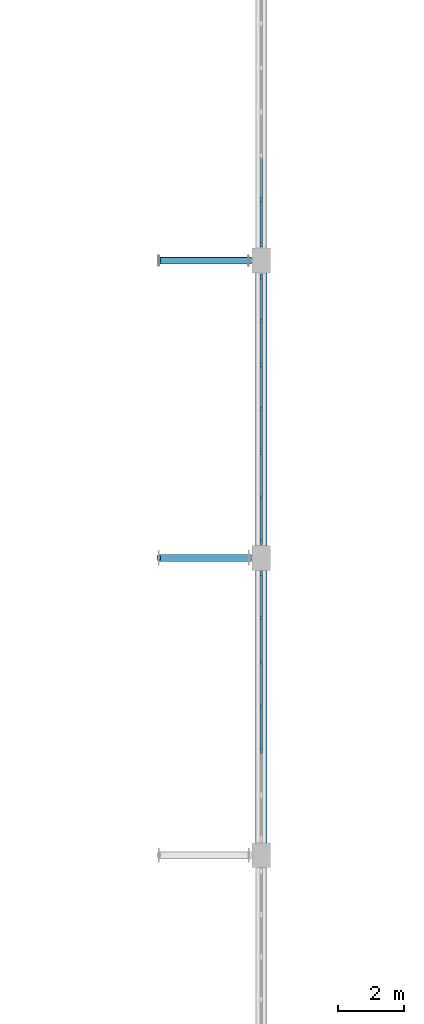
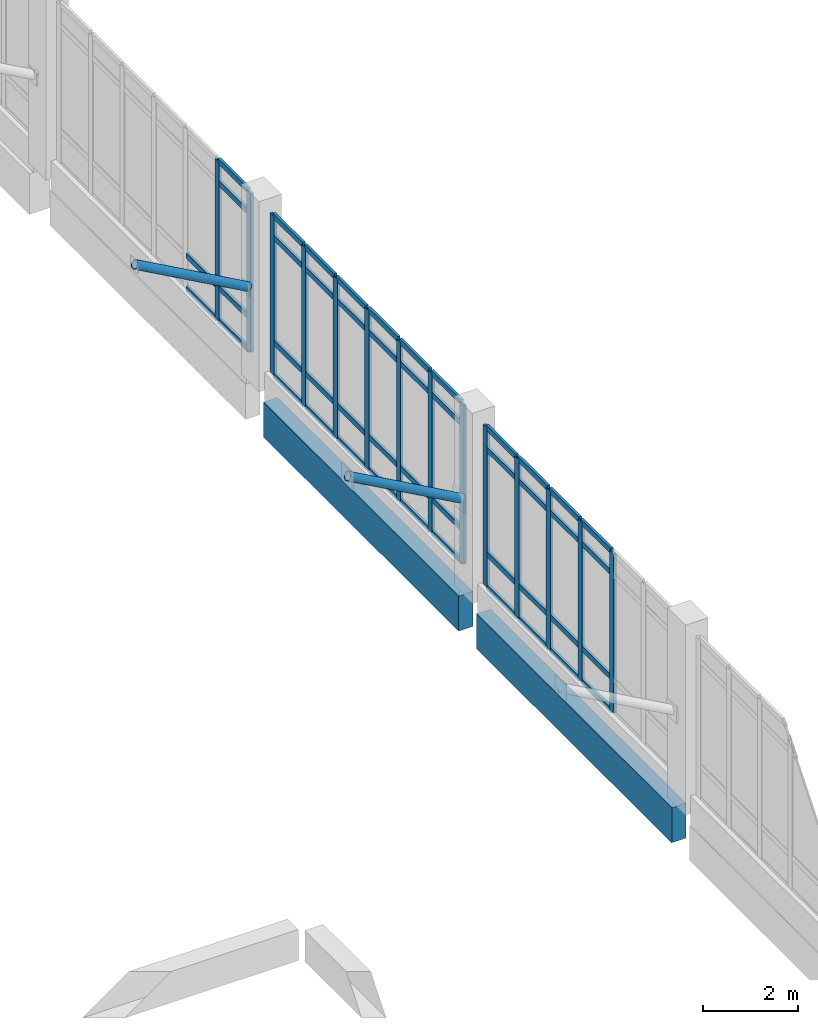
# One storey, part 39 of 110: 62 members, 2 beams, 3 elements without a shape of their own.
"""IFC4 building model written with IfcOpenShell, lengths in metres."""

from ifc_helpers import new_model, si_unit, direction, frame, origin, origin_2d, place, context, subcontext, project, spatial, rectangle, hollow_circle, extrude, material, layer, layer_set, material_profile, profile_set, type_object, element, aggregate, save


model = new_model("IFC4")

# Units and contexts
model_context = context("Model", 3, precision=1e-05, world=origin(), true_north=direction((0.0, 1.0)))
body_context = subcontext(model_context, "Body", "Model", "MODEL_VIEW")
ifc_project = project(units=[si_unit("LENGTHUNIT", "METRE"), si_unit("AREAUNIT", "SQUARE_METRE"), si_unit("VOLUMEUNIT", "CUBIC_METRE"), si_unit("PLANEANGLEUNIT", "RADIAN"), si_unit("MASSUNIT", "GRAM", prefix="KILO")], contexts=[model_context])

# Site, building, storey
site_placement = place(None, origin())
site = spatial("IfcSite", under=ifc_project, at=site_placement, CompositionType="ELEMENT")
building_placement = place(site_placement, origin())
building = spatial("IfcBuilding", under=site, at=building_placement, Name="Zacnel Wholesale Market", CompositionType="ELEMENT")
storey_placement = place(building_placement, frame((0.0, 0.0, 6.300048828125)))
storey = spatial("IfcBuildingStorey", under=building, at=storey_placement, Name="L02", CompositionType="ELEMENT", Elevation=6.300048828125)

# Beams
ifc_material_1 = material(Name="Precast concrete C45/55", Category="concrete")
ifc_material_profile_1 = material_profile(ifc_material_1, rectangle(XDim=0.35009765625, YDim=0.89990234375, at=origin_2d()), Name="SP 350x900")
ifc_profile_set_1 = profile_set([ifc_material_profile_1], Name="Precast concrete C45/55")
beam_type = type_object("IfcBeamType", Name="BM-SP900", PredefinedType="SPANDREL", material=ifc_profile_set_1)
for number, where, z_axis, x_axis, name in (
    (1, (144.300048828125, 57.375, -0.75), (0.0, 1.0, 0.0), (-1.0, 0.0, 0.0), "Precast girder Y-0476"),
    (2, (144.300048828125, 66.375, -0.75), (0.0, 1.0, 0.0), (-1.0, 0.0, 0.0), "Precast girder Y-0477"),
):
    element("IfcBeam", number, at=place(storey_placement, frame(where, z_axis=z_axis, x_axis=x_axis)), inside=storey, type_object=beam_type, Name=name, PredefinedType="SPANDREL", context=body_context, shape_type="SweptSolid", body=[
        extrude(rectangle(XDim=0.35009765625, YDim=0.89990234375, at=origin_2d()), origin(), (0.0, 0.0, 1.0), 8.25),
    ])

# Curtain wall, members
ifc_material_2 = material(Name="Anodised aluminium", Category="aluminium")
ifc_layer = layer(ifc_material_2, 0.159912109375)
ifc_layer_set = layer_set([ifc_layer], Name="Anodised aluminium")
curtain_wall_type = type_object("IfcCurtainWallType", Name="CW-NAVE-4200", PredefinedType="NOTDEFINED", material=ifc_layer_set)
curtain_wall_1_placement = place(storey_placement, origin())
curtain_wall_1 = element("IfcCurtainWall", 3, at=curtain_wall_1_placement, inside=storey, type_object=curtain_wall_type, Name="Curtain wall ENV-R2-CW-L02-042", PredefinedType="NOTDEFINED")
ifc_material_3 = material(Name="Anodised aluminium", Category="aluminium")
ifc_material_profile_2 = material_profile(ifc_material_3, rectangle(XDim=0.06494140625, YDim=0.179931640625, at=origin_2d()), Name="AW-MULLION 65x180")
ifc_profile_set_2 = profile_set([ifc_material_profile_2], Name="Anodised aluminium")
member_type_1 = type_object("IfcMemberType", Name="CWM-MUL-03", PredefinedType="MULLION", material=ifc_profile_set_2)
member_1_placement = place(storey_placement, frame((144.300048828125, 60.1650390625, 0.449951171875), z_axis=(0.0, 0.0, 1.0), x_axis=(1.0, 0.0, 0.0)))
member_1 = element("IfcMember", 4, at=member_1_placement, type_object=member_type_1, Name="ENV-R2-CW-L02-042 mullion 03", PredefinedType="MULLION", context=body_context, shape_type="SweptSolid", body=[
    extrude(rectangle(XDim=0.06494140625, YDim=0.179931640625, at=origin_2d()), origin(), (0.0, 0.0, 1.0), 4.10009765625),
])
member_2_placement = place(storey_placement, frame((144.300048828125, 61.5, 0.449951171875), z_axis=(0.0, 0.0, 1.0), x_axis=(1.0, 0.0, 0.0)))
member_2 = element("IfcMember", 5, at=member_2_placement, type_object=member_type_1, Name="ENV-R2-CW-L02-042 mullion 04", PredefinedType="MULLION", context=body_context, shape_type="SweptSolid", body=[
    extrude(rectangle(XDim=0.06494140625, YDim=0.179931640625, at=origin_2d()), origin(), (0.0, 0.0, 1.0), 4.10009765625),
])
member_3_placement = place(storey_placement, frame((144.300048828125, 62.8349609375, 0.449951171875), z_axis=(0.0, 0.0, 1.0), x_axis=(1.0, 0.0, 0.0)))
member_3 = element("IfcMember", 6, at=member_3_placement, type_object=member_type_1, Name="ENV-R2-CW-L02-042 mullion 05", PredefinedType="MULLION", context=body_context, shape_type="SweptSolid", body=[
    extrude(rectangle(XDim=0.06494140625, YDim=0.179931640625, at=origin_2d()), origin(), (0.0, 0.0, 1.0), 4.10009765625),
])
member_4_placement = place(storey_placement, frame((144.300048828125, 64.169921875, 0.449951171875), z_axis=(0.0, 0.0, 1.0), x_axis=(1.0, 0.0, 0.0)))
member_4 = element("IfcMember", 7, at=member_4_placement, type_object=member_type_1, Name="ENV-R2-CW-L02-042 mullion 06", PredefinedType="MULLION", context=body_context, shape_type="SweptSolid", body=[
    extrude(rectangle(XDim=0.06494140625, YDim=0.179931640625, at=origin_2d()), origin(), (0.0, 0.0, 1.0), 4.10009765625),
])
member_5_placement = place(storey_placement, frame((144.300048828125, 65.5048828125, 0.449951171875), z_axis=(0.0, 0.0, 1.0), x_axis=(1.0, 0.0, 0.0)))
member_5 = element("IfcMember", 8, at=member_5_placement, type_object=member_type_1, Name="ENV-R2-CW-L02-042 mullion 07", PredefinedType="MULLION", context=body_context, shape_type="SweptSolid", body=[
    extrude(rectangle(XDim=0.06494140625, YDim=0.179931640625, at=origin_2d()), origin(), (0.0, 0.0, 1.0), 4.10009765625),
])

curtain_wall_2_placement = place(storey_placement, origin())
curtain_wall_2 = element("IfcCurtainWall", 9, at=curtain_wall_2_placement, inside=storey, type_object=curtain_wall_type, Name="Curtain wall ENV-R2-CW-L02-043", PredefinedType="NOTDEFINED")
member_6_placement = place(storey_placement, frame((144.300048828125, 66.4951171875, 0.449951171875), z_axis=(0.0, 0.0, 1.0), x_axis=(1.0, 0.0, 0.0)))
member_6 = element("IfcMember", 10, at=member_6_placement, type_object=member_type_1, Name="ENV-R2-CW-L02-043 mullion 01", PredefinedType="MULLION", context=body_context, shape_type="SweptSolid", body=[
    extrude(rectangle(XDim=0.06494140625, YDim=0.179931640625, at=origin_2d()), origin(), (0.0, 0.0, 1.0), 4.10009765625),
])
member_7_placement = place(storey_placement, frame((144.300048828125, 67.830078125, 0.449951171875), z_axis=(0.0, 0.0, 1.0), x_axis=(1.0, 0.0, 0.0)))
member_7 = element("IfcMember", 11, at=member_7_placement, type_object=member_type_1, Name="ENV-R2-CW-L02-043 mullion 02", PredefinedType="MULLION", context=body_context, shape_type="SweptSolid", body=[
    extrude(rectangle(XDim=0.06494140625, YDim=0.179931640625, at=origin_2d()), origin(), (0.0, 0.0, 1.0), 4.10009765625),
])
member_8_placement = place(storey_placement, frame((144.300048828125, 69.1650390625, 0.449951171875), z_axis=(0.0, 0.0, 1.0), x_axis=(1.0, 0.0, 0.0)))
member_8 = element("IfcMember", 12, at=member_8_placement, type_object=member_type_1, Name="ENV-R2-CW-L02-043 mullion 03", PredefinedType="MULLION", context=body_context, shape_type="SweptSolid", body=[
    extrude(rectangle(XDim=0.06494140625, YDim=0.179931640625, at=origin_2d()), origin(), (0.0, 0.0, 1.0), 4.10009765625),
])
member_9_placement = place(storey_placement, frame((144.300048828125, 70.5, 0.449951171875), z_axis=(0.0, 0.0, 1.0), x_axis=(1.0, 0.0, 0.0)))
member_9 = element("IfcMember", 13, at=member_9_placement, type_object=member_type_1, Name="ENV-R2-CW-L02-043 mullion 04", PredefinedType="MULLION", context=body_context, shape_type="SweptSolid", body=[
    extrude(rectangle(XDim=0.06494140625, YDim=0.179931640625, at=origin_2d()), origin(), (0.0, 0.0, 1.0), 4.10009765625),
])
member_10_placement = place(storey_placement, frame((144.300048828125, 71.8349609375, 0.449951171875), z_axis=(0.0, 0.0, 1.0), x_axis=(1.0, 0.0, 0.0)))
member_10 = element("IfcMember", 14, at=member_10_placement, type_object=member_type_1, Name="ENV-R2-CW-L02-043 mullion 05", PredefinedType="MULLION", context=body_context, shape_type="SweptSolid", body=[
    extrude(rectangle(XDim=0.06494140625, YDim=0.179931640625, at=origin_2d()), origin(), (0.0, 0.0, 1.0), 4.10009765625),
])
member_11_placement = place(storey_placement, frame((144.300048828125, 73.169921875, 0.449951171875), z_axis=(0.0, 0.0, 1.0), x_axis=(1.0, 0.0, 0.0)))
member_11 = element("IfcMember", 15, at=member_11_placement, type_object=member_type_1, Name="ENV-R2-CW-L02-043 mullion 06", PredefinedType="MULLION", context=body_context, shape_type="SweptSolid", body=[
    extrude(rectangle(XDim=0.06494140625, YDim=0.179931640625, at=origin_2d()), origin(), (0.0, 0.0, 1.0), 4.10009765625),
])
member_12_placement = place(storey_placement, frame((144.300048828125, 74.5048828125, 0.449951171875), z_axis=(0.0, 0.0, 1.0), x_axis=(1.0, 0.0, 0.0)))
member_12 = element("IfcMember", 16, at=member_12_placement, type_object=member_type_1, Name="ENV-R2-CW-L02-043 mullion 07", PredefinedType="MULLION", context=body_context, shape_type="SweptSolid", body=[
    extrude(rectangle(XDim=0.06494140625, YDim=0.179931640625, at=origin_2d()), origin(), (0.0, 0.0, 1.0), 4.10009765625),
])

curtain_wall_3_placement = place(storey_placement, origin())
curtain_wall_3 = element("IfcCurtainWall", 17, at=curtain_wall_3_placement, inside=storey, type_object=curtain_wall_type, Name="Curtain wall ENV-R2-CW-L02-044", PredefinedType="NOTDEFINED")
member_13_placement = place(storey_placement, frame((144.300048828125, 75.4951171875, 0.449951171875), z_axis=(0.0, 0.0, 1.0), x_axis=(1.0, 0.0, 0.0)))
member_13 = element("IfcMember", 18, at=member_13_placement, type_object=member_type_1, Name="ENV-R2-CW-L02-044 mullion 01", PredefinedType="MULLION", context=body_context, shape_type="SweptSolid", body=[
    extrude(rectangle(XDim=0.06494140625, YDim=0.179931640625, at=origin_2d()), origin(), (0.0, 0.0, 1.0), 4.10009765625),
])
member_14_placement = place(storey_placement, frame((144.300048828125, 76.830078125, 0.449951171875), z_axis=(0.0, 0.0, 1.0), x_axis=(1.0, 0.0, 0.0)))
member_14 = element("IfcMember", 19, at=member_14_placement, type_object=member_type_1, Name="ENV-R2-CW-L02-044 mullion 02", PredefinedType="MULLION", context=body_context, shape_type="SweptSolid", body=[
    extrude(rectangle(XDim=0.06494140625, YDim=0.179931640625, at=origin_2d()), origin(), (0.0, 0.0, 1.0), 4.10009765625),
])

# Member
ifc_material_4 = material(Name="Anodised aluminium", Category="aluminium")
ifc_material_profile_3 = material_profile(ifc_material_4, rectangle(XDim=0.06494140625, YDim=0.139892578125, at=origin_2d()), Name="AW-TRANSOM 65x140")
ifc_profile_set_3 = profile_set([ifc_material_profile_3], Name="Anodised aluminium")
member_type_2 = type_object("IfcMemberType", Name="CWM-TRN-03", PredefinedType="USERDEFINED", material=ifc_profile_set_3)
member_15_placement = place(storey_placement, frame((144.300048828125, 60.199951171875, 0.449951171875), z_axis=(0.0, 1.0, 0.0), x_axis=(-1.0, 0.0, 0.0)))
member_15 = element("IfcMember", 20, at=member_15_placement, type_object=member_type_2, Name="ENV-R2-CW-L02-042 transom 3-1", ObjectType="TRANSOM", PredefinedType="USERDEFINED", context=body_context, shape_type="SweptSolid", body=[
    extrude(rectangle(XDim=0.06494140625, YDim=0.139892578125, at=origin_2d()), origin(), (0.0, 0.0, 1.0), 1.26513671875),
])

member_16_placement = place(storey_placement, frame((144.300048828125, 60.199951171875, 1.300048828125), z_axis=(0.0, 1.0, 0.0), x_axis=(-1.0, 0.0, 0.0)))
member_16 = element("IfcMember", 21, at=member_16_placement, type_object=member_type_2, Name="ENV-R2-CW-L02-042 transom 3-2", ObjectType="TRANSOM", PredefinedType="USERDEFINED", context=body_context, shape_type="SweptSolid", body=[
    extrude(rectangle(XDim=0.06494140625, YDim=0.139892578125, at=origin_2d()), origin(), (0.0, 0.0, 1.0), 1.26513671875),
])

member_17_placement = place(storey_placement, frame((144.300048828125, 60.199951171875, 4.0), z_axis=(0.0, 1.0, 0.0), x_axis=(-1.0, 0.0, 0.0)))
member_17 = element("IfcMember", 22, at=member_17_placement, type_object=member_type_2, Name="ENV-R2-CW-L02-042 transom 3-3", ObjectType="TRANSOM", PredefinedType="USERDEFINED", context=body_context, shape_type="SweptSolid", body=[
    extrude(rectangle(XDim=0.06494140625, YDim=0.139892578125, at=origin_2d()), origin(), (0.0, 0.0, 1.0), 1.26513671875),
])

member_18_placement = place(storey_placement, frame((144.300048828125, 60.199951171875, 4.550048828125), z_axis=(0.0, 1.0, 0.0), x_axis=(-1.0, 0.0, 0.0)))
member_18 = element("IfcMember", 23, at=member_18_placement, type_object=member_type_2, Name="ENV-R2-CW-L02-042 transom 3-4", ObjectType="TRANSOM", PredefinedType="USERDEFINED", context=body_context, shape_type="SweptSolid", body=[
    extrude(rectangle(XDim=0.06494140625, YDim=0.139892578125, at=origin_2d()), origin(), (0.0, 0.0, 1.0), 1.26513671875),
])

member_19_placement = place(storey_placement, frame((144.300048828125, 61.534912109375, 0.449951171875), z_axis=(0.0, 1.0, 0.0), x_axis=(-1.0, 0.0, 0.0)))
member_19 = element("IfcMember", 24, at=member_19_placement, type_object=member_type_2, Name="ENV-R2-CW-L02-042 transom 4-1", ObjectType="TRANSOM", PredefinedType="USERDEFINED", context=body_context, shape_type="SweptSolid", body=[
    extrude(rectangle(XDim=0.06494140625, YDim=0.139892578125, at=origin_2d()), origin(), (0.0, 0.0, 1.0), 1.26513671875),
])

member_20_placement = place(storey_placement, frame((144.300048828125, 61.534912109375, 1.300048828125), z_axis=(0.0, 1.0, 0.0), x_axis=(-1.0, 0.0, 0.0)))
member_20 = element("IfcMember", 25, at=member_20_placement, type_object=member_type_2, Name="ENV-R2-CW-L02-042 transom 4-2", ObjectType="TRANSOM", PredefinedType="USERDEFINED", context=body_context, shape_type="SweptSolid", body=[
    extrude(rectangle(XDim=0.06494140625, YDim=0.139892578125, at=origin_2d()), origin(), (0.0, 0.0, 1.0), 1.26513671875),
])

member_21_placement = place(storey_placement, frame((144.300048828125, 61.534912109375, 4.0), z_axis=(0.0, 1.0, 0.0), x_axis=(-1.0, 0.0, 0.0)))
member_21 = element("IfcMember", 26, at=member_21_placement, type_object=member_type_2, Name="ENV-R2-CW-L02-042 transom 4-3", ObjectType="TRANSOM", PredefinedType="USERDEFINED", context=body_context, shape_type="SweptSolid", body=[
    extrude(rectangle(XDim=0.06494140625, YDim=0.139892578125, at=origin_2d()), origin(), (0.0, 0.0, 1.0), 1.26513671875),
])

member_22_placement = place(storey_placement, frame((144.300048828125, 61.534912109375, 4.550048828125), z_axis=(0.0, 1.0, 0.0), x_axis=(-1.0, 0.0, 0.0)))
member_22 = element("IfcMember", 27, at=member_22_placement, type_object=member_type_2, Name="ENV-R2-CW-L02-042 transom 4-4", ObjectType="TRANSOM", PredefinedType="USERDEFINED", context=body_context, shape_type="SweptSolid", body=[
    extrude(rectangle(XDim=0.06494140625, YDim=0.139892578125, at=origin_2d()), origin(), (0.0, 0.0, 1.0), 1.26513671875),
])

member_23_placement = place(storey_placement, frame((144.300048828125, 62.8701171875, 0.449951171875), z_axis=(0.0, 1.0, 0.0), x_axis=(-1.0, 0.0, 0.0)))
member_23 = element("IfcMember", 28, at=member_23_placement, type_object=member_type_2, Name="ENV-R2-CW-L02-042 transom 5-1", ObjectType="TRANSOM", PredefinedType="USERDEFINED", context=body_context, shape_type="SweptSolid", body=[
    extrude(rectangle(XDim=0.06494140625, YDim=0.139892578125, at=origin_2d()), origin(), (0.0, 0.0, 1.0), 1.264892578125),
])

member_24_placement = place(storey_placement, frame((144.300048828125, 62.8701171875, 1.300048828125), z_axis=(0.0, 1.0, 0.0), x_axis=(-1.0, 0.0, 0.0)))
member_24 = element("IfcMember", 29, at=member_24_placement, type_object=member_type_2, Name="ENV-R2-CW-L02-042 transom 5-2", ObjectType="TRANSOM", PredefinedType="USERDEFINED", context=body_context, shape_type="SweptSolid", body=[
    extrude(rectangle(XDim=0.06494140625, YDim=0.139892578125, at=origin_2d()), origin(), (0.0, 0.0, 1.0), 1.264892578125),
])

member_25_placement = place(storey_placement, frame((144.300048828125, 62.8701171875, 4.0), z_axis=(0.0, 1.0, 0.0), x_axis=(-1.0, 0.0, 0.0)))
member_25 = element("IfcMember", 30, at=member_25_placement, type_object=member_type_2, Name="ENV-R2-CW-L02-042 transom 5-3", ObjectType="TRANSOM", PredefinedType="USERDEFINED", context=body_context, shape_type="SweptSolid", body=[
    extrude(rectangle(XDim=0.06494140625, YDim=0.139892578125, at=origin_2d()), origin(), (0.0, 0.0, 1.0), 1.264892578125),
])

member_26_placement = place(storey_placement, frame((144.300048828125, 62.8701171875, 4.550048828125), z_axis=(0.0, 1.0, 0.0), x_axis=(-1.0, 0.0, 0.0)))
member_26 = element("IfcMember", 31, at=member_26_placement, type_object=member_type_2, Name="ENV-R2-CW-L02-042 transom 5-4", ObjectType="TRANSOM", PredefinedType="USERDEFINED", context=body_context, shape_type="SweptSolid", body=[
    extrude(rectangle(XDim=0.06494140625, YDim=0.139892578125, at=origin_2d()), origin(), (0.0, 0.0, 1.0), 1.264892578125),
])

member_27_placement = place(storey_placement, frame((144.300048828125, 64.205078125, 0.449951171875), z_axis=(0.0, 1.0, 0.0), x_axis=(-1.0, 0.0, 0.0)))
member_27 = element("IfcMember", 32, at=member_27_placement, type_object=member_type_2, Name="ENV-R2-CW-L02-042 transom 6-1", ObjectType="TRANSOM", PredefinedType="USERDEFINED", context=body_context, shape_type="SweptSolid", body=[
    extrude(rectangle(XDim=0.06494140625, YDim=0.139892578125, at=origin_2d()), origin(), (0.0, 0.0, 1.0), 1.264892578125),
])

member_28_placement = place(storey_placement, frame((144.300048828125, 64.205078125, 1.300048828125), z_axis=(0.0, 1.0, 0.0), x_axis=(-1.0, 0.0, 0.0)))
member_28 = element("IfcMember", 33, at=member_28_placement, type_object=member_type_2, Name="ENV-R2-CW-L02-042 transom 6-2", ObjectType="TRANSOM", PredefinedType="USERDEFINED", context=body_context, shape_type="SweptSolid", body=[
    extrude(rectangle(XDim=0.06494140625, YDim=0.139892578125, at=origin_2d()), origin(), (0.0, 0.0, 1.0), 1.264892578125),
])

member_29_placement = place(storey_placement, frame((144.300048828125, 64.205078125, 4.0), z_axis=(0.0, 1.0, 0.0), x_axis=(-1.0, 0.0, 0.0)))
member_29 = element("IfcMember", 34, at=member_29_placement, type_object=member_type_2, Name="ENV-R2-CW-L02-042 transom 6-3", ObjectType="TRANSOM", PredefinedType="USERDEFINED", context=body_context, shape_type="SweptSolid", body=[
    extrude(rectangle(XDim=0.06494140625, YDim=0.139892578125, at=origin_2d()), origin(), (0.0, 0.0, 1.0), 1.264892578125),
])

member_30_placement = place(storey_placement, frame((144.300048828125, 64.205078125, 4.550048828125), z_axis=(0.0, 1.0, 0.0), x_axis=(-1.0, 0.0, 0.0)))
member_30 = element("IfcMember", 35, at=member_30_placement, type_object=member_type_2, Name="ENV-R2-CW-L02-042 transom 6-4", ObjectType="TRANSOM", PredefinedType="USERDEFINED", context=body_context, shape_type="SweptSolid", body=[
    extrude(rectangle(XDim=0.06494140625, YDim=0.139892578125, at=origin_2d()), origin(), (0.0, 0.0, 1.0), 1.264892578125),
])

aggregate(curtain_wall_1, [member_1, member_2, member_3, member_4, member_5, member_15, member_16, member_17, member_18, member_19, member_20, member_21, member_22, member_23, member_24, member_25, member_26, member_27, member_28, member_29, member_30])

member_31_placement = place(storey_placement, frame((144.300048828125, 66.530029296875, 0.449951171875), z_axis=(0.0, 1.0, 0.0), x_axis=(-1.0, 0.0, 0.0)))
member_31 = element("IfcMember", 36, at=member_31_placement, type_object=member_type_2, Name="ENV-R2-CW-L02-043 transom 1-1", ObjectType="TRANSOM", PredefinedType="USERDEFINED", context=body_context, shape_type="SweptSolid", body=[
    extrude(rectangle(XDim=0.06494140625, YDim=0.139892578125, at=origin_2d()), origin(), (0.0, 0.0, 1.0), 1.264892578125),
])

member_32_placement = place(storey_placement, frame((144.300048828125, 66.530029296875, 1.300048828125), z_axis=(0.0, 1.0, 0.0), x_axis=(-1.0, 0.0, 0.0)))
member_32 = element("IfcMember", 37, at=member_32_placement, type_object=member_type_2, Name="ENV-R2-CW-L02-043 transom 1-2", ObjectType="TRANSOM", PredefinedType="USERDEFINED", context=body_context, shape_type="SweptSolid", body=[
    extrude(rectangle(XDim=0.06494140625, YDim=0.139892578125, at=origin_2d()), origin(), (0.0, 0.0, 1.0), 1.264892578125),
])

member_33_placement = place(storey_placement, frame((144.300048828125, 66.530029296875, 4.0), z_axis=(0.0, 1.0, 0.0), x_axis=(-1.0, 0.0, 0.0)))
member_33 = element("IfcMember", 38, at=member_33_placement, type_object=member_type_2, Name="ENV-R2-CW-L02-043 transom 1-3", ObjectType="TRANSOM", PredefinedType="USERDEFINED", context=body_context, shape_type="SweptSolid", body=[
    extrude(rectangle(XDim=0.06494140625, YDim=0.139892578125, at=origin_2d()), origin(), (0.0, 0.0, 1.0), 1.264892578125),
])

member_34_placement = place(storey_placement, frame((144.300048828125, 66.530029296875, 4.550048828125), z_axis=(0.0, 1.0, 0.0), x_axis=(-1.0, 0.0, 0.0)))
member_34 = element("IfcMember", 39, at=member_34_placement, type_object=member_type_2, Name="ENV-R2-CW-L02-043 transom 1-4", ObjectType="TRANSOM", PredefinedType="USERDEFINED", context=body_context, shape_type="SweptSolid", body=[
    extrude(rectangle(XDim=0.06494140625, YDim=0.139892578125, at=origin_2d()), origin(), (0.0, 0.0, 1.0), 1.264892578125),
])

member_35_placement = place(storey_placement, frame((144.300048828125, 67.864990234375, 0.449951171875), z_axis=(0.0, 1.0, 0.0), x_axis=(-1.0, 0.0, 0.0)))
member_35 = element("IfcMember", 40, at=member_35_placement, type_object=member_type_2, Name="ENV-R2-CW-L02-043 transom 2-1", ObjectType="TRANSOM", PredefinedType="USERDEFINED", context=body_context, shape_type="SweptSolid", body=[
    extrude(rectangle(XDim=0.06494140625, YDim=0.139892578125, at=origin_2d()), origin(), (0.0, 0.0, 1.0), 1.264892578125),
])

member_36_placement = place(storey_placement, frame((144.300048828125, 67.864990234375, 1.300048828125), z_axis=(0.0, 1.0, 0.0), x_axis=(-1.0, 0.0, 0.0)))
member_36 = element("IfcMember", 41, at=member_36_placement, type_object=member_type_2, Name="ENV-R2-CW-L02-043 transom 2-2", ObjectType="TRANSOM", PredefinedType="USERDEFINED", context=body_context, shape_type="SweptSolid", body=[
    extrude(rectangle(XDim=0.06494140625, YDim=0.139892578125, at=origin_2d()), origin(), (0.0, 0.0, 1.0), 1.264892578125),
])

member_37_placement = place(storey_placement, frame((144.300048828125, 67.864990234375, 4.0), z_axis=(0.0, 1.0, 0.0), x_axis=(-1.0, 0.0, 0.0)))
member_37 = element("IfcMember", 42, at=member_37_placement, type_object=member_type_2, Name="ENV-R2-CW-L02-043 transom 2-3", ObjectType="TRANSOM", PredefinedType="USERDEFINED", context=body_context, shape_type="SweptSolid", body=[
    extrude(rectangle(XDim=0.06494140625, YDim=0.139892578125, at=origin_2d()), origin(), (0.0, 0.0, 1.0), 1.264892578125),
])

member_38_placement = place(storey_placement, frame((144.300048828125, 67.864990234375, 4.550048828125), z_axis=(0.0, 1.0, 0.0), x_axis=(-1.0, 0.0, 0.0)))
member_38 = element("IfcMember", 43, at=member_38_placement, type_object=member_type_2, Name="ENV-R2-CW-L02-043 transom 2-4", ObjectType="TRANSOM", PredefinedType="USERDEFINED", context=body_context, shape_type="SweptSolid", body=[
    extrude(rectangle(XDim=0.06494140625, YDim=0.139892578125, at=origin_2d()), origin(), (0.0, 0.0, 1.0), 1.264892578125),
])

member_39_placement = place(storey_placement, frame((144.300048828125, 69.199951171875, 0.449951171875), z_axis=(0.0, 1.0, 0.0), x_axis=(-1.0, 0.0, 0.0)))
member_39 = element("IfcMember", 44, at=member_39_placement, type_object=member_type_2, Name="ENV-R2-CW-L02-043 transom 3-1", ObjectType="TRANSOM", PredefinedType="USERDEFINED", context=body_context, shape_type="SweptSolid", body=[
    extrude(rectangle(XDim=0.06494140625, YDim=0.139892578125, at=origin_2d()), origin(), (0.0, 0.0, 1.0), 1.26513671875),
])

member_40_placement = place(storey_placement, frame((144.300048828125, 69.199951171875, 1.300048828125), z_axis=(0.0, 1.0, 0.0), x_axis=(-1.0, 0.0, 0.0)))
member_40 = element("IfcMember", 45, at=member_40_placement, type_object=member_type_2, Name="ENV-R2-CW-L02-043 transom 3-2", ObjectType="TRANSOM", PredefinedType="USERDEFINED", context=body_context, shape_type="SweptSolid", body=[
    extrude(rectangle(XDim=0.06494140625, YDim=0.139892578125, at=origin_2d()), origin(), (0.0, 0.0, 1.0), 1.26513671875),
])

member_41_placement = place(storey_placement, frame((144.300048828125, 69.199951171875, 4.0), z_axis=(0.0, 1.0, 0.0), x_axis=(-1.0, 0.0, 0.0)))
member_41 = element("IfcMember", 46, at=member_41_placement, type_object=member_type_2, Name="ENV-R2-CW-L02-043 transom 3-3", ObjectType="TRANSOM", PredefinedType="USERDEFINED", context=body_context, shape_type="SweptSolid", body=[
    extrude(rectangle(XDim=0.06494140625, YDim=0.139892578125, at=origin_2d()), origin(), (0.0, 0.0, 1.0), 1.26513671875),
])

member_42_placement = place(storey_placement, frame((144.300048828125, 69.199951171875, 4.550048828125), z_axis=(0.0, 1.0, 0.0), x_axis=(-1.0, 0.0, 0.0)))
member_42 = element("IfcMember", 47, at=member_42_placement, type_object=member_type_2, Name="ENV-R2-CW-L02-043 transom 3-4", ObjectType="TRANSOM", PredefinedType="USERDEFINED", context=body_context, shape_type="SweptSolid", body=[
    extrude(rectangle(XDim=0.06494140625, YDim=0.139892578125, at=origin_2d()), origin(), (0.0, 0.0, 1.0), 1.26513671875),
])

member_43_placement = place(storey_placement, frame((144.300048828125, 70.534912109375, 0.449951171875), z_axis=(0.0, 1.0, 0.0), x_axis=(-1.0, 0.0, 0.0)))
member_43 = element("IfcMember", 48, at=member_43_placement, type_object=member_type_2, Name="ENV-R2-CW-L02-043 transom 4-1", ObjectType="TRANSOM", PredefinedType="USERDEFINED", context=body_context, shape_type="SweptSolid", body=[
    extrude(rectangle(XDim=0.06494140625, YDim=0.139892578125, at=origin_2d()), origin(), (0.0, 0.0, 1.0), 1.26513671875),
])

member_44_placement = place(storey_placement, frame((144.300048828125, 70.534912109375, 1.300048828125), z_axis=(0.0, 1.0, 0.0), x_axis=(-1.0, 0.0, 0.0)))
member_44 = element("IfcMember", 49, at=member_44_placement, type_object=member_type_2, Name="ENV-R2-CW-L02-043 transom 4-2", ObjectType="TRANSOM", PredefinedType="USERDEFINED", context=body_context, shape_type="SweptSolid", body=[
    extrude(rectangle(XDim=0.06494140625, YDim=0.139892578125, at=origin_2d()), origin(), (0.0, 0.0, 1.0), 1.26513671875),
])

member_45_placement = place(storey_placement, frame((144.300048828125, 70.534912109375, 4.0), z_axis=(0.0, 1.0, 0.0), x_axis=(-1.0, 0.0, 0.0)))
member_45 = element("IfcMember", 50, at=member_45_placement, type_object=member_type_2, Name="ENV-R2-CW-L02-043 transom 4-3", ObjectType="TRANSOM", PredefinedType="USERDEFINED", context=body_context, shape_type="SweptSolid", body=[
    extrude(rectangle(XDim=0.06494140625, YDim=0.139892578125, at=origin_2d()), origin(), (0.0, 0.0, 1.0), 1.26513671875),
])

member_46_placement = place(storey_placement, frame((144.300048828125, 70.534912109375, 4.550048828125), z_axis=(0.0, 1.0, 0.0), x_axis=(-1.0, 0.0, 0.0)))
member_46 = element("IfcMember", 51, at=member_46_placement, type_object=member_type_2, Name="ENV-R2-CW-L02-043 transom 4-4", ObjectType="TRANSOM", PredefinedType="USERDEFINED", context=body_context, shape_type="SweptSolid", body=[
    extrude(rectangle(XDim=0.06494140625, YDim=0.139892578125, at=origin_2d()), origin(), (0.0, 0.0, 1.0), 1.26513671875),
])

member_47_placement = place(storey_placement, frame((144.300048828125, 71.8701171875, 0.449951171875), z_axis=(0.0, 1.0, 0.0), x_axis=(-1.0, 0.0, 0.0)))
member_47 = element("IfcMember", 52, at=member_47_placement, type_object=member_type_2, Name="ENV-R2-CW-L02-043 transom 5-1", ObjectType="TRANSOM", PredefinedType="USERDEFINED", context=body_context, shape_type="SweptSolid", body=[
    extrude(rectangle(XDim=0.06494140625, YDim=0.139892578125, at=origin_2d()), origin(), (0.0, 0.0, 1.0), 1.264892578125),
])

member_48_placement = place(storey_placement, frame((144.300048828125, 71.8701171875, 1.300048828125), z_axis=(0.0, 1.0, 0.0), x_axis=(-1.0, 0.0, 0.0)))
member_48 = element("IfcMember", 53, at=member_48_placement, type_object=member_type_2, Name="ENV-R2-CW-L02-043 transom 5-2", ObjectType="TRANSOM", PredefinedType="USERDEFINED", context=body_context, shape_type="SweptSolid", body=[
    extrude(rectangle(XDim=0.06494140625, YDim=0.139892578125, at=origin_2d()), origin(), (0.0, 0.0, 1.0), 1.264892578125),
])

member_49_placement = place(storey_placement, frame((144.300048828125, 71.8701171875, 4.0), z_axis=(0.0, 1.0, 0.0), x_axis=(-1.0, 0.0, 0.0)))
member_49 = element("IfcMember", 54, at=member_49_placement, type_object=member_type_2, Name="ENV-R2-CW-L02-043 transom 5-3", ObjectType="TRANSOM", PredefinedType="USERDEFINED", context=body_context, shape_type="SweptSolid", body=[
    extrude(rectangle(XDim=0.06494140625, YDim=0.139892578125, at=origin_2d()), origin(), (0.0, 0.0, 1.0), 1.264892578125),
])

member_50_placement = place(storey_placement, frame((144.300048828125, 71.8701171875, 4.550048828125), z_axis=(0.0, 1.0, 0.0), x_axis=(-1.0, 0.0, 0.0)))
member_50 = element("IfcMember", 55, at=member_50_placement, type_object=member_type_2, Name="ENV-R2-CW-L02-043 transom 5-4", ObjectType="TRANSOM", PredefinedType="USERDEFINED", context=body_context, shape_type="SweptSolid", body=[
    extrude(rectangle(XDim=0.06494140625, YDim=0.139892578125, at=origin_2d()), origin(), (0.0, 0.0, 1.0), 1.264892578125),
])

member_51_placement = place(storey_placement, frame((144.300048828125, 73.205078125, 0.449951171875), z_axis=(0.0, 1.0, 0.0), x_axis=(-1.0, 0.0, 0.0)))
member_51 = element("IfcMember", 56, at=member_51_placement, type_object=member_type_2, Name="ENV-R2-CW-L02-043 transom 6-1", ObjectType="TRANSOM", PredefinedType="USERDEFINED", context=body_context, shape_type="SweptSolid", body=[
    extrude(rectangle(XDim=0.06494140625, YDim=0.139892578125, at=origin_2d()), origin(), (0.0, 0.0, 1.0), 1.264892578125),
])

member_52_placement = place(storey_placement, frame((144.300048828125, 73.205078125, 1.300048828125), z_axis=(0.0, 1.0, 0.0), x_axis=(-1.0, 0.0, 0.0)))
member_52 = element("IfcMember", 57, at=member_52_placement, type_object=member_type_2, Name="ENV-R2-CW-L02-043 transom 6-2", ObjectType="TRANSOM", PredefinedType="USERDEFINED", context=body_context, shape_type="SweptSolid", body=[
    extrude(rectangle(XDim=0.06494140625, YDim=0.139892578125, at=origin_2d()), origin(), (0.0, 0.0, 1.0), 1.264892578125),
])

member_53_placement = place(storey_placement, frame((144.300048828125, 73.205078125, 4.0), z_axis=(0.0, 1.0, 0.0), x_axis=(-1.0, 0.0, 0.0)))
member_53 = element("IfcMember", 58, at=member_53_placement, type_object=member_type_2, Name="ENV-R2-CW-L02-043 transom 6-3", ObjectType="TRANSOM", PredefinedType="USERDEFINED", context=body_context, shape_type="SweptSolid", body=[
    extrude(rectangle(XDim=0.06494140625, YDim=0.139892578125, at=origin_2d()), origin(), (0.0, 0.0, 1.0), 1.264892578125),
])

member_54_placement = place(storey_placement, frame((144.300048828125, 73.205078125, 4.550048828125), z_axis=(0.0, 1.0, 0.0), x_axis=(-1.0, 0.0, 0.0)))
member_54 = element("IfcMember", 59, at=member_54_placement, type_object=member_type_2, Name="ENV-R2-CW-L02-043 transom 6-4", ObjectType="TRANSOM", PredefinedType="USERDEFINED", context=body_context, shape_type="SweptSolid", body=[
    extrude(rectangle(XDim=0.06494140625, YDim=0.139892578125, at=origin_2d()), origin(), (0.0, 0.0, 1.0), 1.264892578125),
])

aggregate(curtain_wall_2, [member_6, member_7, member_8, member_9, member_10, member_11, member_12, member_31, member_32, member_33, member_34, member_35, member_36, member_37, member_38, member_39, member_40, member_41, member_42, member_43, member_44, member_45, member_46, member_47, member_48, member_49, member_50, member_51, member_52, member_53, member_54])

member_55_placement = place(storey_placement, frame((144.300048828125, 75.530029296875, 0.449951171875), z_axis=(0.0, 1.0, 0.0), x_axis=(-1.0, 0.0, 0.0)))
member_55 = element("IfcMember", 60, at=member_55_placement, type_object=member_type_2, Name="ENV-R2-CW-L02-044 transom 1-1", ObjectType="TRANSOM", PredefinedType="USERDEFINED", context=body_context, shape_type="SweptSolid", body=[
    extrude(rectangle(XDim=0.06494140625, YDim=0.139892578125, at=origin_2d()), origin(), (0.0, 0.0, 1.0), 1.264892578125),
])

member_56_placement = place(storey_placement, frame((144.300048828125, 75.530029296875, 1.300048828125), z_axis=(0.0, 1.0, 0.0), x_axis=(-1.0, 0.0, 0.0)))
member_56 = element("IfcMember", 61, at=member_56_placement, type_object=member_type_2, Name="ENV-R2-CW-L02-044 transom 1-2", ObjectType="TRANSOM", PredefinedType="USERDEFINED", context=body_context, shape_type="SweptSolid", body=[
    extrude(rectangle(XDim=0.06494140625, YDim=0.139892578125, at=origin_2d()), origin(), (0.0, 0.0, 1.0), 1.264892578125),
])

member_57_placement = place(storey_placement, frame((144.300048828125, 75.530029296875, 4.0), z_axis=(0.0, 1.0, 0.0), x_axis=(-1.0, 0.0, 0.0)))
member_57 = element("IfcMember", 62, at=member_57_placement, type_object=member_type_2, Name="ENV-R2-CW-L02-044 transom 1-3", ObjectType="TRANSOM", PredefinedType="USERDEFINED", context=body_context, shape_type="SweptSolid", body=[
    extrude(rectangle(XDim=0.06494140625, YDim=0.139892578125, at=origin_2d()), origin(), (0.0, 0.0, 1.0), 1.264892578125),
])

member_58_placement = place(storey_placement, frame((144.300048828125, 75.530029296875, 4.550048828125), z_axis=(0.0, 1.0, 0.0), x_axis=(-1.0, 0.0, 0.0)))
member_58 = element("IfcMember", 63, at=member_58_placement, type_object=member_type_2, Name="ENV-R2-CW-L02-044 transom 1-4", ObjectType="TRANSOM", PredefinedType="USERDEFINED", context=body_context, shape_type="SweptSolid", body=[
    extrude(rectangle(XDim=0.06494140625, YDim=0.139892578125, at=origin_2d()), origin(), (0.0, 0.0, 1.0), 1.264892578125),
])

member_59_placement = place(storey_placement, frame((144.300048828125, 76.864990234375, 0.449951171875), z_axis=(0.0, 1.0, 0.0), x_axis=(-1.0, 0.0, 0.0)))
member_59 = element("IfcMember", 64, at=member_59_placement, type_object=member_type_2, Name="ENV-R2-CW-L02-044 transom 2-1", ObjectType="TRANSOM", PredefinedType="USERDEFINED", context=body_context, shape_type="SweptSolid", body=[
    extrude(rectangle(XDim=0.06494140625, YDim=0.139892578125, at=origin_2d()), origin(), (0.0, 0.0, 1.0), 1.264892578125),
])

member_60_placement = place(storey_placement, frame((144.300048828125, 76.864990234375, 1.300048828125), z_axis=(0.0, 1.0, 0.0), x_axis=(-1.0, 0.0, 0.0)))
member_60 = element("IfcMember", 65, at=member_60_placement, type_object=member_type_2, Name="ENV-R2-CW-L02-044 transom 2-2", ObjectType="TRANSOM", PredefinedType="USERDEFINED", context=body_context, shape_type="SweptSolid", body=[
    extrude(rectangle(XDim=0.06494140625, YDim=0.139892578125, at=origin_2d()), origin(), (0.0, 0.0, 1.0), 1.264892578125),
])

aggregate(curtain_wall_3, [member_13, member_14, member_55, member_56, member_57, member_58, member_59, member_60])

# Members
ifc_material_5 = material(Name="Steel S355", Category="steel")
ifc_material_profile_4 = material_profile(ifc_material_5, hollow_circle(Radius=0.109619140625, WallThickness=0.010009765625, at=origin_2d()), Name="CHS 219.1x10")
ifc_profile_set_4 = profile_set([ifc_material_profile_4], Name="Steel S355")
member_type_3 = type_object("IfcMemberType", Name="MEM-STR-CHS219", PredefinedType="STRUT", material=ifc_profile_set_4)
for number, where, z_axis, x_axis, name in (
    (66, (143.97998046875, 66.0, 2.5), (-0.873410930295, 0.0, 0.48698392873), (0.0, -1.0, 0.0), "Storm eave knee strut 013"),
    (67, (143.97998046875, 75.0, 2.5), (-0.873410930295, 0.0, 0.48698392873), (0.0, -1.0, 0.0), "Storm eave knee strut 014"),
):
    element("IfcMember", number, at=place(storey_placement, frame(where, z_axis=z_axis, x_axis=x_axis)), inside=storey, type_object=member_type_3, Name=name, PredefinedType="STRUT", context=body_context, shape_type="SweptSolid", body=[
        extrude(hollow_circle(Radius=0.109619140625, WallThickness=0.010009765625, at=origin_2d()), origin(), (0.0, 0.0, 1.0), 3.182861328125),
    ])

save(model, "model.ifc")
